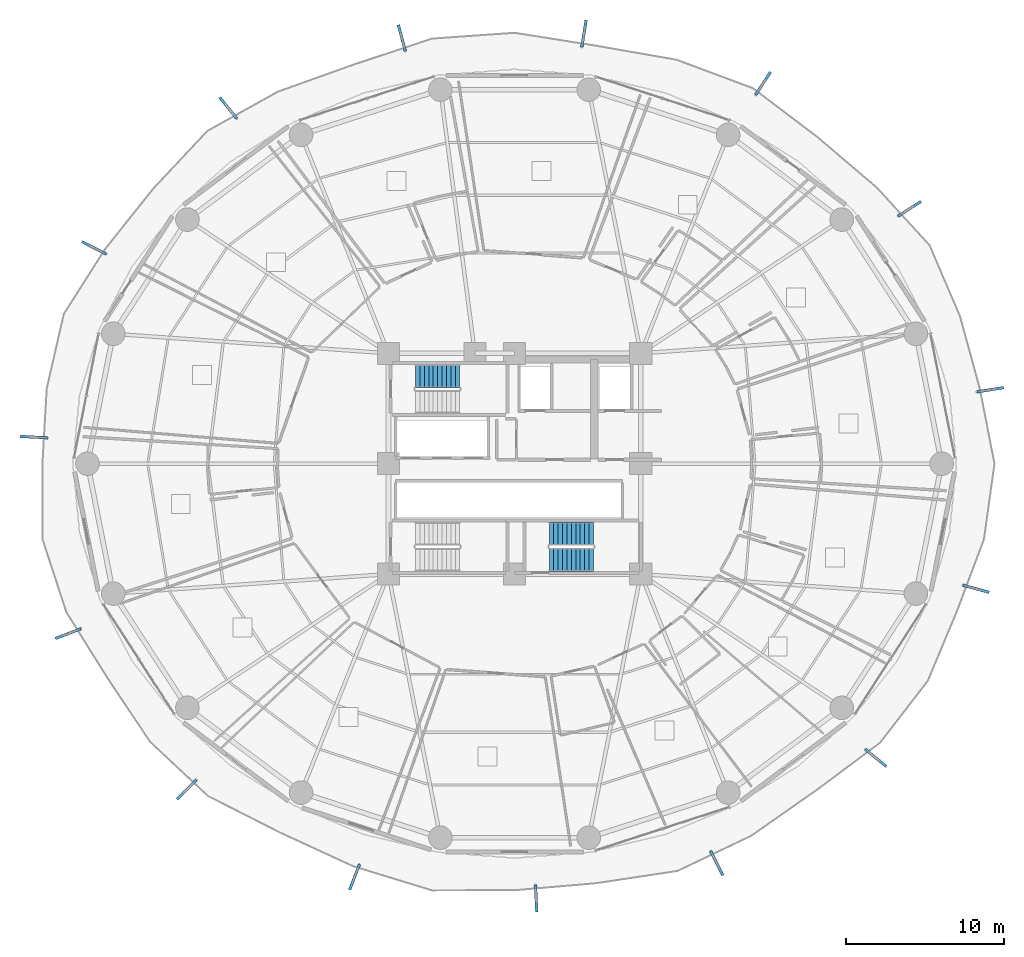
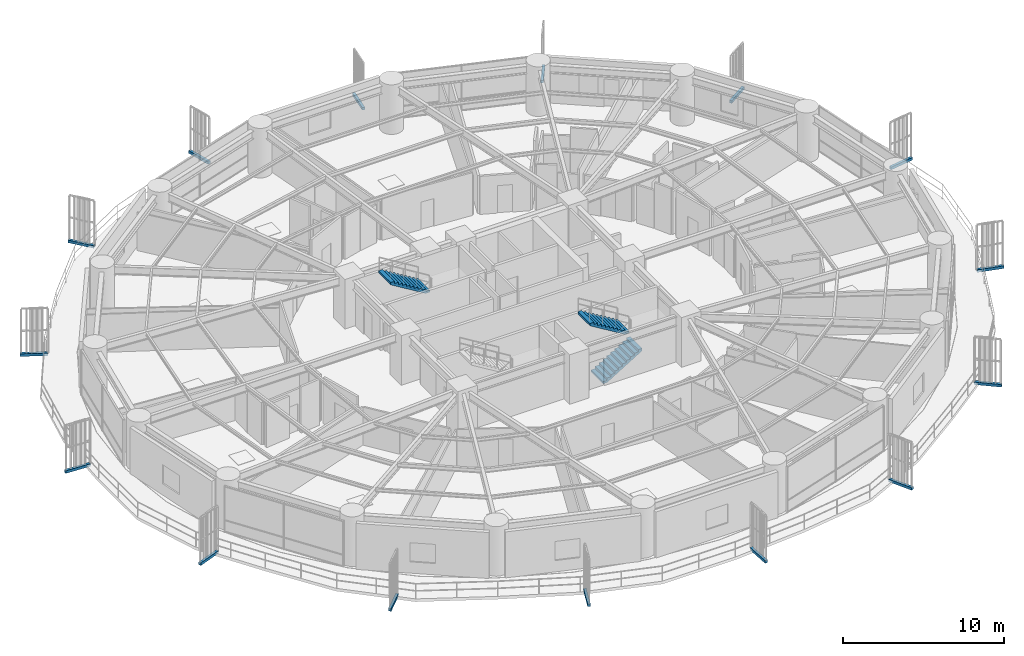
# One storey, part 27 of 32: 15 discrete accessories, 3 stair flights, 2 elements without a shape of their own.
"""IFC4 building model written with IfcOpenShell, lengths in metres."""

from ifc_helpers import new_model, si_unit, direction, frame, origin, origin_2d, place, context, subcontext, project, spatial, polyline, rectangle, outline, extrude, source, transform, mapped, material, type_object, element, aggregate, save


model = new_model("IFC4")

# Units and contexts
model_context = context("Model", 3, precision=1e-05, world=origin(), true_north=direction((0.0, 1.0)))
body_context = subcontext(model_context, "Body", "Model", "MODEL_VIEW")
ifc_project = project(units=[si_unit("LENGTHUNIT", "METRE"), si_unit("AREAUNIT", "SQUARE_METRE"), si_unit("VOLUMEUNIT", "CUBIC_METRE"), si_unit("PLANEANGLEUNIT", "RADIAN"), si_unit("MASSUNIT", "GRAM", prefix="KILO")], contexts=[model_context])

# Site, building, storey
site_placement = place(None, origin())
site = spatial("IfcSite", under=ifc_project, at=site_placement, CompositionType="ELEMENT")
building_placement = place(site_placement, origin())
building = spatial("IfcBuilding", under=site, at=building_placement, Name="Kelanora Arch Commons", CompositionType="ELEMENT")
storey_placement = place(building_placement, frame((0.0, 0.0, 60.0)))
storey = spatial("IfcBuildingStorey", under=building, at=storey_placement, Name="L15", CompositionType="ELEMENT", Elevation=60.0)

# Stair, stair flight
ifc_material_1 = material(Name="Concrete C40/50", Category="concrete")
stair_type = type_object("IfcStairType", Name="STR-DL-375", PredefinedType="HALF_TURN_STAIR", material=ifc_material_1)
stair_1_placement = place(storey_placement, origin())
stair_1 = element("IfcStair", 1, at=stair_1_placement, inside=storey, type_object=stair_type, Name="L15 ST-T1", PredefinedType="HALF_TURN_STAIR")
stair_flight_type = type_object("IfcStairFlightType", Name="FLT-DL-375", PredefinedType="STRAIGHT", material=ifc_material_1)
stair_flight_1_placement = place(storey_placement, frame((70.52001953125, 63.550048828125, 1.875), z_axis=(0.0, 0.0, 1.0), x_axis=(-1.0, 0.0, 0.0)))
stair_flight_1 = element("IfcStairFlight", 2, at=stair_flight_1_placement, type_object=stair_flight_type, Name="ST-T1 flight 2", NumberOfRisers=11, NumberOfTreads=10, PredefinedType="STRAIGHT", RiserHeight=0.170454545, TreadLength=0.28, context=body_context, shape_type="SweptSolid", body=[
    extrude(outline(polyline([(0.0, 0.0), (0.0, 0.17041015625), (0.280029296875, 0.17041015625), (0.280029296875, 0.3408203125), (0.56005859375, 0.3408203125), (0.56005859375, 0.511474609375), (0.840087890625, 0.511474609375), (0.840087890625, 0.681884765625), (1.1201171875, 0.681884765625), (1.1201171875, 0.852294921875), (1.39990234375, 0.852294921875), (1.39990234375, 1.022705078125), (1.679931640625, 1.022705078125), (1.679931640625, 1.193115234375), (1.9599609375, 1.193115234375), (1.9599609375, 1.363525390625), (2.239990234375, 1.363525390625), (2.239990234375, 1.5341796875), (2.52001953125, 1.5341796875), (2.52001953125, 1.70458984375), (2.800048828125, 1.70458984375), (2.800048828125, 1.875), (2.800048828125, 1.529052734375), (0.288330078125, 0.0), (0.0, 0.0)])), frame((0.0, 0.739990234375, 0.0), z_axis=(0.0, -1.0, 0.0), x_axis=(1.0, 0.0, 0.0)), (0.0, 0.0, 1.0), 1.47998046875),
])
aggregate(stair_1, [stair_flight_1])

# Stair, stair flights
stair_2_placement = place(storey_placement, origin())
stair_2 = element("IfcStair", 3, at=stair_2_placement, inside=storey, type_object=stair_type, Name="L15 ST-T2", PredefinedType="HALF_TURN_STAIR")
stair_flight_2_placement = place(storey_placement, frame((76.199951171875, 51.919921875, 0.0), z_axis=(0.0, 0.0, 1.0), x_axis=(1.0, 0.0, 0.0)))
stair_flight_2 = element("IfcStairFlight", 4, at=stair_flight_2_placement, type_object=stair_flight_type, Name="ST-T2 flight 1", NumberOfRisers=11, NumberOfTreads=10, PredefinedType="STRAIGHT", RiserHeight=0.170454545, TreadLength=0.28, context=body_context, shape_type="SweptSolid", body=[
    extrude(outline(polyline([(0.0, 0.0), (0.0, 0.17041015625), (0.280029296875, 0.17041015625), (0.280029296875, 0.3408203125), (0.56005859375, 0.3408203125), (0.56005859375, 0.511474609375), (0.840087890625, 0.511474609375), (0.840087890625, 0.681884765625), (1.1201171875, 0.681884765625), (1.1201171875, 0.852294921875), (1.39990234375, 0.852294921875), (1.39990234375, 1.022705078125), (1.679931640625, 1.022705078125), (1.679931640625, 1.193115234375), (1.9599609375, 1.193115234375), (1.9599609375, 1.363525390625), (2.239990234375, 1.363525390625), (2.239990234375, 1.5341796875), (2.52001953125, 1.5341796875), (2.52001953125, 1.70458984375), (2.800048828125, 1.70458984375), (2.800048828125, 1.875), (2.800048828125, 1.529052734375), (0.288330078125, 0.0), (0.0, 0.0)])), frame((0.0, 0.739990234375, 0.0), z_axis=(0.0, -1.0, 0.0), x_axis=(1.0, 0.0, 0.0)), (0.0, 0.0, 1.0), 1.47998046875),
])
stair_flight_3_placement = place(storey_placement, frame((79.0, 53.550048828125, 1.875), z_axis=(0.0, 0.0, 1.0), x_axis=(-1.0, 0.0, 0.0)))
stair_flight_3 = element("IfcStairFlight", 5, at=stair_flight_3_placement, type_object=stair_flight_type, Name="ST-T2 flight 2", NumberOfRisers=11, NumberOfTreads=10, PredefinedType="STRAIGHT", RiserHeight=0.170454545, TreadLength=0.28, context=body_context, shape_type="SweptSolid", body=[
    extrude(outline(polyline([(0.0, 0.0), (0.0, 0.17041015625), (0.280029296875, 0.17041015625), (0.280029296875, 0.3408203125), (0.56005859375, 0.3408203125), (0.56005859375, 0.511474609375), (0.840087890625, 0.511474609375), (0.840087890625, 0.681884765625), (1.1201171875, 0.681884765625), (1.1201171875, 0.852294921875), (1.39990234375, 0.852294921875), (1.39990234375, 1.022705078125), (1.679931640625, 1.022705078125), (1.679931640625, 1.193115234375), (1.9599609375, 1.193115234375), (1.9599609375, 1.363525390625), (2.239990234375, 1.363525390625), (2.239990234375, 1.5341796875), (2.52001953125, 1.5341796875), (2.52001953125, 1.70458984375), (2.800048828125, 1.70458984375), (2.800048828125, 1.875), (2.800048828125, 1.529052734375), (0.288330078125, 0.0), (0.0, 0.0)])), frame((0.0, 0.739990234375, 0.0), z_axis=(0.0, -1.0, 0.0), x_axis=(1.0, 0.0, 0.0)), (0.0, 0.0, 1.0), 1.47998046875),
])
aggregate(stair_2, [stair_flight_2, stair_flight_3])

# Discrete accessories
ifc_material_2 = material(Name="Stainless steel 316 marine fin bracket", Category="steel")
discrete_accessory_type = type_object("IfcDiscreteAccessoryType", Name="ACC-FIN-BRK", PredefinedType="BRACKET", material=ifc_material_2)
shared_shape = source(origin(), body_context, "Body", "SweptSolid", [
    extrude(rectangle(XDim=1.715087890625, YDim=0.179931640625, at=origin_2d()), origin(), (0.0, 0.0, 1.0), 0.199951171875),
])
for number, where, z_axis, x_axis, name in (
    (6, (99.045654296875, 74.163818359375, -0.16015625), (0.0, 0.0, 1.0), (0.840188215011, 0.542294904417, 0.0), "Sweeping Fin Cantilever Spine Bracket L15-00"),
    (7, (89.7587890625, 82.11572265625, -0.16015625), (0.0, 0.0, 1.0), (0.546978918409, 0.837146380758, 0.0), "Sweeping Fin Cantilever Spine Bracket L15-01"),
    (8, (78.399169921875, 85.272216796875, -0.16015625), (0.0, 0.0, 1.0), (0.159191997666, 0.98724764263, 0.0), "Sweeping Fin Cantilever Spine Bracket L15-02"),
    (9, (66.85009765625, 84.990478515625, -0.16015625), (0.0, 0.0, 1.0), (-0.256120665687, 0.966644818229, 0.0), "Sweeping Fin Cantilever Spine Bracket L15-03"),
    (10, (55.840576171875, 80.55615234375, -0.16015625), (0.0, 0.0, 1.0), (-0.62714773916, 0.778900323063, 0.0), "Sweeping Fin Cantilever Spine Bracket L15-04"),
    (11, (47.3291015625, 71.685302734375, -0.16015625), (0.0, 0.0, 1.0), (-0.889735271073, 0.456476885952, 0.0), "Sweeping Fin Cantilever Spine Bracket L15-05"),
    (12, (43.515625, 59.6845703125, -0.16015625), (0.0, 0.0, 1.0), (-0.998479491627, 0.055124448298, 0.0), "Sweeping Fin Cantilever Spine Bracket L15-06"),
    (13, (45.690185546875, 47.22509765625, -0.16015625), (0.0, 0.0, 1.0), (-0.934577537177, -0.355759507257, 0.0), "Sweeping Fin Cantilever Spine Bracket L15-07"),
    (14, (53.20751953125, 37.325439453125, -0.16015625), (0.0, 0.0, 1.0), (-0.709078636179, -0.705129412033, 0.0), "Sweeping Fin Cantilever Spine Bracket L15-08"),
    (15, (63.850830078125, 31.783935546875, -0.16015625), (0.0, 0.0, 1.0), (-0.360973597208, -0.93257603557, 0.0), "Sweeping Fin Cantilever Spine Bracket L15-09"),
    (16, (75.3662109375, 30.43310546875, -0.16015625), (0.0, 0.0, 1.0), (0.049547056062, -0.998771790368, 0.0), "Sweeping Fin Cantilever Spine Bracket L15-10"),
    (17, (86.8203125, 32.66064453125, -0.16015625), (0.0, 0.0, 1.0), (0.451500573218, -0.892270829056, 0.0), "Sweeping Fin Cantilever Spine Bracket L15-11"),
    (18, (96.908447265625, 39.341064453125, -0.16015625), (0.0, 0.0, 1.0), (0.775385539511, -0.631488135373, 0.0), "Sweeping Fin Cantilever Spine Bracket L15-12"),
    (19, (103.26025390625, 50.0703125, -0.16015625), (0.0, 0.0, 1.0), (0.965199301866, -0.261515406195, 0.0), "Sweeping Fin Cantilever Spine Bracket L15-13"),
    (20, (104.163330078125, 62.689453125, -0.16015625), (0.0, 0.0, 1.0), (0.988121336368, 0.153675712507, 0.0), "Sweeping Fin Cantilever Spine Bracket L15-14"),
):
    element("IfcDiscreteAccessory", number, at=place(storey_placement, frame(where, z_axis=z_axis, x_axis=x_axis)), inside=storey, type_object=discrete_accessory_type, Name=name, PredefinedType="BRACKET", context=body_context, shape_type="MappedRepresentation", body=[
        mapped(shared_shape, transform((0.0, 0.0, 0.0), scale=1.0)),
    ])

save(model, "model.ifc")
